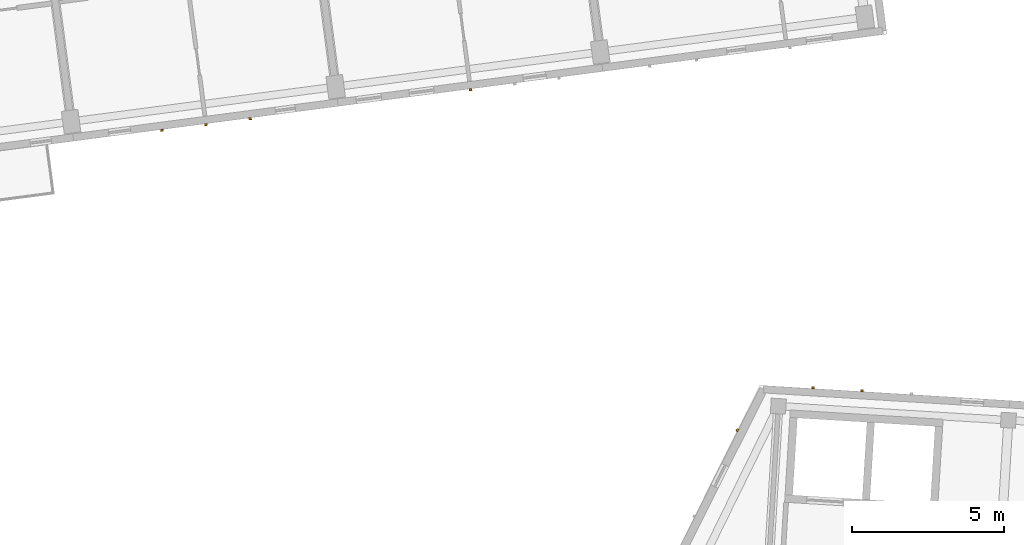
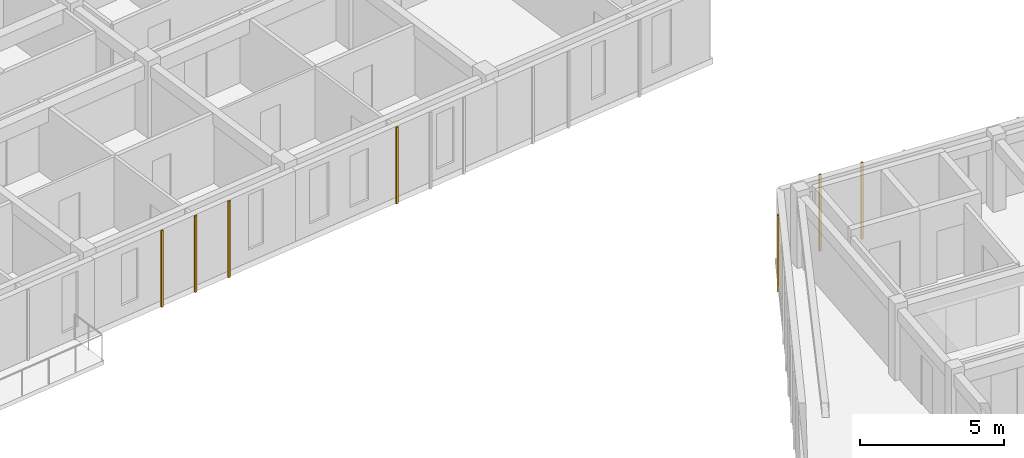
# One storey, part 108 of 127: 7 coverings.
"""IFC4 building model written with IfcOpenShell, lengths in metres."""

from ifc_helpers import new_model, si_unit, direction, frame, origin, origin_2d, place, context, subcontext, project, spatial, rectangle, extrude, material, layer, layer_set, type_object, element, save


model = new_model("IFC4")

# Units and contexts
model_context = context("Model", 3, precision=1e-05, world=origin(), true_north=direction((0.0, 1.0)))
body_context = subcontext(model_context, "Body", "Model", "MODEL_VIEW")
ifc_project = project(units=[si_unit("LENGTHUNIT", "METRE"), si_unit("AREAUNIT", "SQUARE_METRE"), si_unit("VOLUMEUNIT", "CUBIC_METRE"), si_unit("PLANEANGLEUNIT", "RADIAN"), si_unit("MASSUNIT", "GRAM", prefix="KILO")], contexts=[model_context])

# Site, building, storey
site_placement = place(None, origin())
site = spatial("IfcSite", under=ifc_project, at=site_placement, CompositionType="ELEMENT")
building_placement = place(site_placement, origin())
building = spatial("IfcBuilding", under=site, at=building_placement, Name="Kestramere Prow Commons", CompositionType="ELEMENT")
storey_placement = place(building_placement, frame((0.0, 0.0, 8.39990234375)))
storey = spatial("IfcBuildingStorey", under=building, at=storey_placement, Name="L02", CompositionType="ELEMENT", Elevation=8.39990234375)

# Coverings
ifc_material = material(Name="Weathered Zinc-Titanium Standing-Seam Cladding")
ifc_layer = layer(ifc_material, 0.074951171875)
ifc_layer_set = layer_set([ifc_layer], Name="Weathered Zinc-Titanium Standing-Seam Cladding")
covering_type = type_object("IfcCoveringType", Name="COV-CLAD-SEAM", PredefinedType="CLADDING", material=ifc_layer_set)
for number, where, z_axis, x_axis, name in (
    (1, (43.279052734375, 75.5400390625, -0.25), (0.0, 0.0, 1.0), (-0.991444861374, -0.13052619222, 0.0), "EW-A-L02-S-3 Standing-Seam Rib 2"),
    (2, (41.824951171875, 75.348388671875, -0.25), (0.0, 0.0, 1.0), (-0.991444861374, -0.13052619222, 0.0), "EW-A-L02-S-3 Standing-Seam Rib 3"),
    (3, (40.370849609375, 75.156982421875, -0.25), (0.0, 0.0, 1.0), (-0.991444861374, -0.13052619222, 0.0), "EW-A-L02-S-3 Standing-Seam Rib 4"),
    (4, (50.549560546875, 76.4970703125, -0.25), (0.0, 0.0, 1.0), (-0.991444861374, -0.13052619222, 0.0), "EW-A-L02-S-4 Standing-Seam Rib 3"),
    (5, (61.8359375, 66.672607421875, -0.25), (0.0, 0.0, 1.0), (0.998134798422, -0.061048539535, 0.0), "EW-C-L02-N-0 Standing-Seam Rib 1"),
    (6, (63.457763671875, 66.5732421875, -0.25), (0.0, 0.0, 1.0), (0.998134798422, -0.061048539535, 0.0), "EW-C-L02-N-0 Standing-Seam Rib 2"),
    (7, (59.3466796875, 65.27294921875, -0.25), (0.0, 0.0, 1.0), (0.448620327542, 0.893722441095, 0.0), "EW-C-L02-PRW-N Standing-Seam Rib 11"),
):
    element("IfcCovering", number, at=place(storey_placement, frame(where, z_axis=z_axis, x_axis=x_axis)), inside=storey, type_object=covering_type, Name=name, PredefinedType="CLADDING", context=body_context, shape_type="SweptSolid", body=[
        extrude(rectangle(XDim=0.0849609375, YDim=0.06494140625, at=origin_2d()), origin(), (0.0, 0.0, 1.0), 3.25),
    ])

save(model, "model.ifc")
